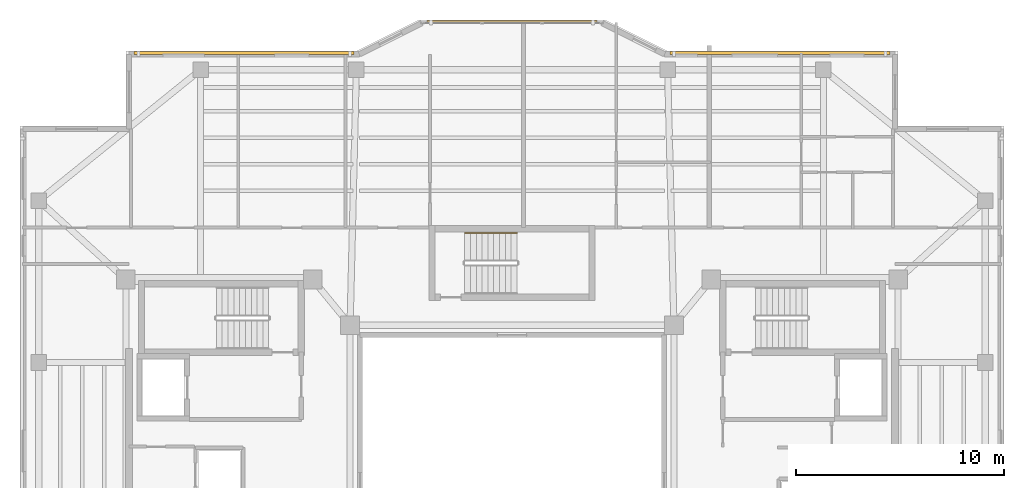
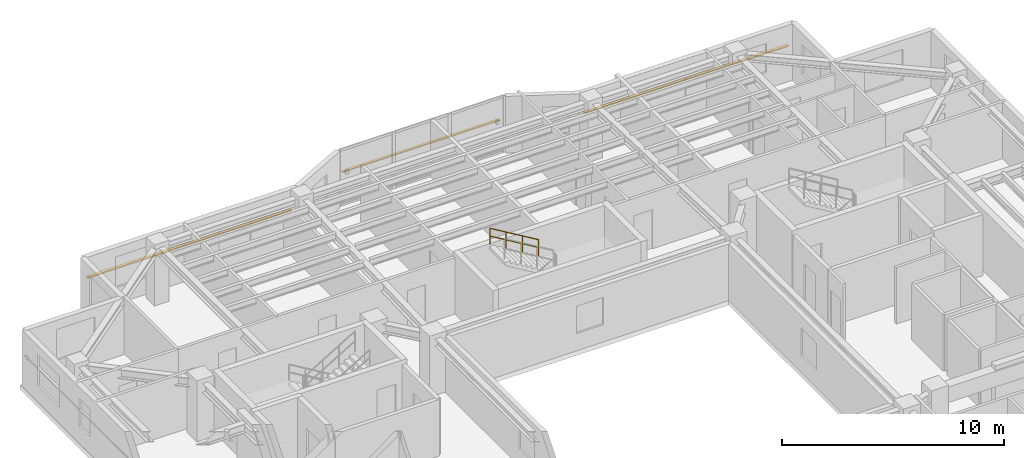
# One storey, part 11 of 11: 3 shading devices, 1 railing.
"""IFC4 building model written with IfcOpenShell, lengths in metres."""

from ifc_helpers import new_model, si_unit, direction, frame, origin, origin_2d, place, context, subcontext, project, spatial, rectangle, circle, extrude, material, material_profile, profile_set, type_object, element, save


model = new_model("IFC4")

# Units and contexts
model_context = context("Model", 3, precision=1e-05, world=origin(), true_north=direction((0.0, 1.0)))
body_context = subcontext(model_context, "Body", "Model", "MODEL_VIEW")
ifc_project = project(units=[si_unit("LENGTHUNIT", "METRE"), si_unit("AREAUNIT", "SQUARE_METRE"), si_unit("VOLUMEUNIT", "CUBIC_METRE"), si_unit("PLANEANGLEUNIT", "RADIAN"), si_unit("MASSUNIT", "GRAM", prefix="KILO")], contexts=[model_context])

# Site, building, storey
site_placement = place(None, origin())
site = spatial("IfcSite", under=ifc_project, at=site_placement, CompositionType="ELEMENT")
building_placement = place(site_placement, origin())
building = spatial("IfcBuilding", under=site, at=building_placement, Name="Tarnavaz Court Tower", CompositionType="ELEMENT")
storey_placement = place(building_placement, frame((0.0, 0.0, 213.699951171875)))
storey = spatial("IfcBuildingStorey", under=building, at=storey_placement, Name="L58", CompositionType="ELEMENT", Elevation=213.699951171875)

# Railing
ifc_material_1 = material(Name="Brushed Stainless Steel", Category="steel")
railing_type = type_object("IfcRailingType", Name="RL-HANDRAIL-900", PredefinedType="HANDRAIL", material=ifc_material_1)
railing_placement = place(storey_placement, frame((0.239990234375, 12.239990234375, 1.842529296875)))
element("IfcRailing", 1, at=railing_placement, inside=storey, type_object=railing_type, Name="L58 ST-N1 stair handrail 2", PredefinedType="HANDRAIL", context=body_context, shape_type="SweptSolid", body=[
    extrude(circle(Radius=0.02392578125, at=origin_2d()), frame((0.0, 0.0, 0.8759765625), z_axis=(-0.858159760407, 0.0, 0.513382728203), x_axis=(0.0, -1.0, 0.0)), (0.0, 0.0, 1.0), 2.9365234375),
    extrude(circle(Radius=0.02392578125, at=origin_2d()), frame((0.0, 0.0, 0.449951171875), z_axis=(-0.858159760407, 0.0, 0.513382728203), x_axis=(0.0, -1.0, 0.0)), (0.0, 0.0, 1.0), 2.9365234375),
    extrude(circle(Radius=0.02099609375, at=origin_2d()), origin(), (0.0, 0.0, 1.0), 0.851806640625),
    extrude(circle(Radius=0.02099609375, at=origin_2d()), frame((-0.840087890625, 0.0, 0.50244140625)), (0.0, 0.0, 1.0), 0.851806640625),
    extrude(circle(Radius=0.02099609375, at=origin_2d()), frame((-1.679931640625, 0.0, 1.005126953125)), (0.0, 0.0, 1.0), 0.851806640625),
    extrude(circle(Radius=0.02099609375, at=origin_2d()), frame((-2.52001953125, 0.0, 1.507568359375)), (0.0, 0.0, 1.0), 0.851806640625),
])

# Shading devices
ifc_material_2 = material(Name="Kiln-Fired Khorasan Terracotta Ceramic", Category="masonry")
ifc_material_profile_1 = material_profile(ifc_material_2, rectangle(XDim=0.1201171875, YDim=0.06005859375, at=origin_2d()), Name="TC BAGUETTE 120X60")
ifc_profile_set_1 = profile_set([ifc_material_profile_1], Name="Kiln-Fired Khorasan Terracotta Ceramic")
shading_device_type_1 = type_object("IfcShadingDeviceType", Name="SD-BAG-120", PredefinedType="USERDEFINED", material=ifc_profile_set_1)
shading_device_placement = place(storey_placement, frame((-4.10009765625, 22.409912109375, 1.800048828125), z_axis=(1.0, 0.0, 0.0), x_axis=(0.0, 1.0, 0.0)))
element("IfcShadingDevice", 2, at=shading_device_placement, inside=storey, type_object=shading_device_type_1, Name="L58 Terracotta Baguette Screen PBG7", ObjectType="BAGUETTE", PredefinedType="USERDEFINED", context=body_context, shape_type="SweptSolid", body=[
    extrude(rectangle(XDim=0.1201171875, YDim=0.06005859375, at=origin_2d()), origin(), (0.0, 0.0, 1.0), 8.2001953125),
])
ifc_material_profile_2 = material_profile(ifc_material_2, rectangle(XDim=0.14990234375, YDim=0.06494140625, at=origin_2d()), Name="TC BAGUETTE 150X65")
ifc_profile_set_2 = profile_set([ifc_material_profile_2], Name="Kiln-Fired Khorasan Terracotta Ceramic")
shading_device_type_2 = type_object("IfcShadingDeviceType", Name="SD-BAG-150", PredefinedType="USERDEFINED", material=ifc_profile_set_2)
for number, where, z_axis, x_axis, name in (
    (3, (-18.199951171875, 20.909912109375, 1.85009765625), (1.0, 0.0, 0.0), (0.0, 1.0, 0.0), "L58 Terracotta Baguette Screen FBG05"),
    (4, (7.60009765625, 20.909912109375, 1.85009765625), (1.0, 0.0, 0.0), (0.0, 1.0, 0.0), "L58 Terracotta Baguette Screen FBG09"),
):
    element("IfcShadingDevice", number, at=place(storey_placement, frame(where, z_axis=z_axis, x_axis=x_axis)), inside=storey, type_object=shading_device_type_2, Name=name, ObjectType="BAGUETTE", PredefinedType="USERDEFINED", context=body_context, shape_type="SweptSolid", body=[
        extrude(rectangle(XDim=0.14990234375, YDim=0.06494140625, at=origin_2d()), origin(), (0.0, 0.0, 1.0), 10.599853515625),
    ])

save(model, "model.ifc")
